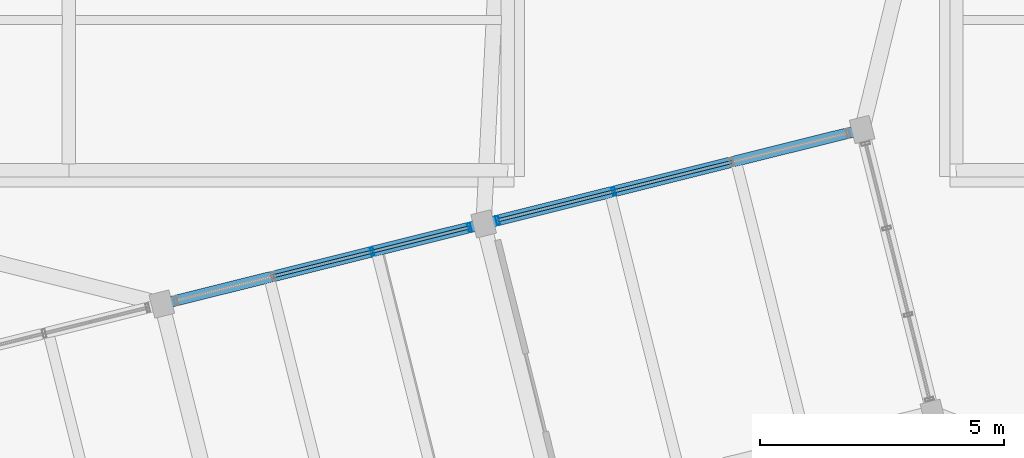
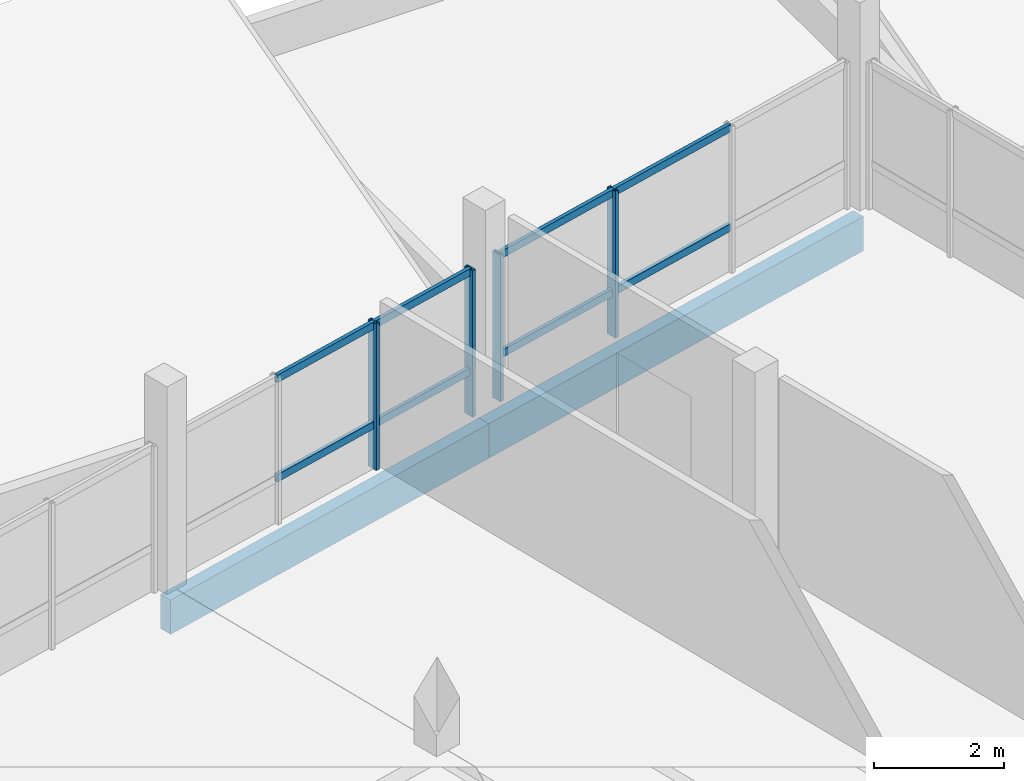
# One storey, part 29 of 37: 12 members, 2 beams, 2 elements without a shape of their own.
"""IFC4 building model written with IfcOpenShell, lengths in metres."""

from ifc_helpers import new_model, si_unit, direction, frame, origin, origin_2d, place, context, subcontext, project, spatial, rectangle, hollow_rectangle, extrude, material, layer, layer_set, material_profile, profile_set, type_object, element, aggregate, save


model = new_model("IFC4")

# Units and contexts
model_context = context("Model", 3, precision=1e-05, world=origin(), true_north=direction((0.0, 1.0)))
body_context = subcontext(model_context, "Body", "Model", "MODEL_VIEW")
ifc_project = project(units=[si_unit("LENGTHUNIT", "METRE"), si_unit("AREAUNIT", "SQUARE_METRE"), si_unit("VOLUMEUNIT", "CUBIC_METRE"), si_unit("PLANEANGLEUNIT", "RADIAN"), si_unit("MASSUNIT", "GRAM", prefix="KILO")], contexts=[model_context])

# Site, building, storey
site_placement = place(None, origin())
site = spatial("IfcSite", under=ifc_project, at=site_placement, CompositionType="ELEMENT")
building_placement = place(site_placement, origin())
building = spatial("IfcBuilding", under=site, at=building_placement, Name="Meriwether Solvik Hall", CompositionType="ELEMENT")
storey_placement = place(building_placement, frame((0.0, 0.0, 26.10009765625)))
storey = spatial("IfcBuildingStorey", under=building, at=storey_placement, Name="L06", CompositionType="ELEMENT", Elevation=26.10009765625)

# Beams
ifc_material_1 = material(Name="Glulam Douglas-Fir 24F-V8 GL28h", Category="wood")
ifc_material_profile_1 = material_profile(ifc_material_1, rectangle(XDim=0.221923828125, YDim=0.64501953125, at=origin_2d()), Name="GLB-222X645")
ifc_profile_set_1 = profile_set([ifc_material_profile_1], Name="Glulam Douglas-Fir 24F-V8 GL28h")
beam_type = type_object("IfcBeamType", Name="BM-GL-222X645", PredefinedType="SPANDREL", material=ifc_profile_set_1)
beam_1_placement = place(storey_placement, frame((88.707275390625, 81.254150390625, -0.592529296875), z_axis=(0.970298579828, 0.24191045034, 0.0), x_axis=(-0.24191045034, 0.970298579828, 0.0)))
element("IfcBeam", 1, at=beam_1_placement, inside=storey, type_object=beam_type, Name="Tower Girder TF:T5-T6 (L06)", PredefinedType="SPANDREL", context=body_context, shape_type="SweptSolid", body=[
    extrude(rectangle(XDim=0.221923828125, YDim=0.64501953125, at=origin_2d()), origin(), (0.0, 0.0, 1.0), 6.800048828125),
])
beam_2_placement = place(storey_placement, frame((95.305419921875, 82.899169921875, -0.592529296875), z_axis=(0.970289525963, 0.24194676234, 0.0), x_axis=(-0.24194676234, 0.970289525963, 0.0)))
element("IfcBeam", 2, at=beam_2_placement, inside=storey, type_object=beam_type, Name="Tower Girder TF:T6-T7 (L06)", PredefinedType="SPANDREL", context=body_context, shape_type="SweptSolid", body=[
    extrude(rectangle(XDim=0.221923828125, YDim=0.64501953125, at=origin_2d()), origin(), (0.0, 0.0, 1.0), 8.0),
])

# Curtain wall, members
ifc_material_2 = material(Name="Thermally Broken Anodised Aluminium 6063-T6 and Low-E Glass", Category="aluminium")
ifc_layer_1 = layer(ifc_material_2, 0.179931640625)
ifc_layer_set_1 = layer_set([ifc_layer_1], Name="Thermally Broken Anodised Aluminium 6063-T6 and Low-E Glass")
curtain_wall_type_1 = type_object("IfcCurtainWallType", Name="CW-UNIT-E", PredefinedType="USERDEFINED", material=ifc_layer_set_1)
curtain_wall_1_placement = place(storey_placement, origin())
curtain_wall_1 = element("IfcCurtainWall", 3, at=curtain_wall_1_placement, inside=storey, type_object=curtain_wall_type_1, Name="Curtain Wall E4_B4 (L06)", ObjectType="UNITISED CURTAIN WALL", PredefinedType="USERDEFINED")
ifc_material_3 = material(Name="Anodised Aluminium 6063-T6", Category="aluminium")
ifc_material_profile_2 = material_profile(ifc_material_3, hollow_rectangle(XDim=0.06494140625, YDim=0.179931640625, WallThickness=0.00439453125, at=origin_2d()), Name="CWM-65X180")
ifc_profile_set_2 = profile_set([ifc_material_profile_2], Name="Anodised Aluminium 6063-T6")
member_type_1 = type_object("IfcMemberType", Name="CW-MUL-65X180", PredefinedType="MULLION", material=ifc_profile_set_2)
member_1_placement = place(storey_placement, frame((93.02197265625, 82.330078125, 0.0), z_axis=(0.0, 0.0, 1.0), x_axis=(0.970295747269, 0.2419218114, 0.0)))
member_1 = element("IfcMember", 4, at=member_1_placement, type_object=member_type_1, Name="Curtain Wall Mullion 3", PredefinedType="MULLION", context=body_context, shape_type="SweptSolid", body=[
    extrude(hollow_rectangle(XDim=0.06494140625, YDim=0.179931640625, WallThickness=0.00439453125, at=origin_2d()), origin(), (0.0, 0.0, 1.0), 2.75),
])
member_2_placement = place(storey_placement, frame((95.0166015625, 82.8271484375, 0.0), z_axis=(0.0, 0.0, 1.0), x_axis=(0.970295747269, 0.2419218114, 0.0)))
member_2 = element("IfcMember", 5, at=member_2_placement, type_object=member_type_1, Name="Curtain Wall Mullion 4", PredefinedType="MULLION", context=body_context, shape_type="SweptSolid", body=[
    extrude(hollow_rectangle(XDim=0.06494140625, YDim=0.179931640625, WallThickness=0.00439453125, at=origin_2d()), origin(), (0.0, 0.0, 1.0), 2.75),
])

ifc_material_4 = material(Name="Thermally Broken Anodised Aluminium 6063-T6 and Low-E Glass", Category="aluminium")
ifc_layer_2 = layer(ifc_material_4, 0.179931640625)
ifc_layer_set_2 = layer_set([ifc_layer_2], Name="Thermally Broken Anodised Aluminium 6063-T6 and Low-E Glass")
curtain_wall_type_2 = type_object("IfcCurtainWallType", Name="CW-UNIT-F", PredefinedType="USERDEFINED", material=ifc_layer_set_2)
curtain_wall_2_placement = place(storey_placement, origin())
curtain_wall_2 = element("IfcCurtainWall", 6, at=curtain_wall_2_placement, inside=storey, type_object=curtain_wall_type_2, Name="Curtain Wall E4_B5 (L06)", ObjectType="UNITISED CURTAIN WALL", PredefinedType="USERDEFINED")
member_3_placement = place(storey_placement, frame((95.593994140625, 82.97119140625, 0.0), z_axis=(0.0, 0.0, 1.0), x_axis=(0.970295753527, 0.241921786302, 0.0)))
member_3 = element("IfcMember", 7, at=member_3_placement, type_object=member_type_1, Name="Curtain Wall Mullion 1", PredefinedType="MULLION", context=body_context, shape_type="SweptSolid", body=[
    extrude(hollow_rectangle(XDim=0.06494140625, YDim=0.179931640625, WallThickness=0.00439453125, at=origin_2d()), origin(), (0.0, 0.0, 1.0), 2.75),
])
member_4_placement = place(storey_placement, frame((97.976806640625, 83.565185546875, 0.0), z_axis=(0.0, 0.0, 1.0), x_axis=(0.970295753527, 0.241921786302, 0.0)))
member_4 = element("IfcMember", 8, at=member_4_placement, type_object=member_type_1, Name="Curtain Wall Mullion 2", PredefinedType="MULLION", context=body_context, shape_type="SweptSolid", body=[
    extrude(hollow_rectangle(XDim=0.06494140625, YDim=0.179931640625, WallThickness=0.00439453125, at=origin_2d()), origin(), (0.0, 0.0, 1.0), 2.75),
])

# Member
ifc_material_5 = material(Name="Anodised Aluminium 6063-T6", Category="aluminium")
ifc_material_profile_3 = material_profile(ifc_material_5, hollow_rectangle(XDim=0.06494140625, YDim=0.139892578125, WallThickness=0.00439453125, at=origin_2d()), Name="CWT-65X140")
ifc_profile_set_3 = profile_set([ifc_material_profile_3], Name="Anodised Aluminium 6063-T6")
member_type_2 = type_object("IfcMemberType", Name="CW-TRN-65X140", PredefinedType="USERDEFINED", material=ifc_profile_set_3)
member_5_placement = place(storey_placement, frame((90.990478515625, 81.823486328125, 0.824951171875), z_axis=(0.970286372918, 0.241959406779, 0.0), x_axis=(-0.241959406779, 0.970286372918, 0.0)))
member_5 = element("IfcMember", 9, at=member_5_placement, type_object=member_type_2, Name="Curtain Wall Transom 2-sill", ObjectType="TRANSOM", PredefinedType="USERDEFINED", context=body_context, shape_type="SweptSolid", body=[
    extrude(hollow_rectangle(XDim=0.06494140625, YDim=0.139892578125, WallThickness=0.00439453125, at=origin_2d()), origin(), (0.0, 0.0, 1.0), 2.09375),
])

member_6_placement = place(storey_placement, frame((90.990478515625, 81.823486328125, 2.68994140625), z_axis=(0.970286372918, 0.241959406779, 0.0), x_axis=(-0.241959406779, 0.970286372918, 0.0)))
member_6 = element("IfcMember", 10, at=member_6_placement, type_object=member_type_2, Name="Curtain Wall Transom 2-head", ObjectType="TRANSOM", PredefinedType="USERDEFINED", context=body_context, shape_type="SweptSolid", body=[
    extrude(hollow_rectangle(XDim=0.06494140625, YDim=0.139892578125, WallThickness=0.00439453125, at=origin_2d()), origin(), (0.0, 0.0, 1.0), 2.09375),
])

member_7_placement = place(storey_placement, frame((93.02197265625, 82.330078125, 0.824951171875), z_axis=(0.970323871243, 0.241808984315, 0.0), x_axis=(-0.241808984315, 0.970323871243, 0.0)))
member_7 = element("IfcMember", 11, at=member_7_placement, type_object=member_type_2, Name="Curtain Wall Transom 3-sill", ObjectType="TRANSOM", PredefinedType="USERDEFINED", context=body_context, shape_type="SweptSolid", body=[
    extrude(hollow_rectangle(XDim=0.06494140625, YDim=0.139892578125, WallThickness=0.00439453125, at=origin_2d()), origin(), (0.0, 0.0, 1.0), 2.0556640625),
])

member_8_placement = place(storey_placement, frame((93.02197265625, 82.330078125, 2.68994140625), z_axis=(0.970323871243, 0.241808984315, 0.0), x_axis=(-0.241808984315, 0.970323871243, 0.0)))
member_8 = element("IfcMember", 12, at=member_8_placement, type_object=member_type_2, Name="Curtain Wall Transom 3-head", ObjectType="TRANSOM", PredefinedType="USERDEFINED", context=body_context, shape_type="SweptSolid", body=[
    extrude(hollow_rectangle(XDim=0.06494140625, YDim=0.139892578125, WallThickness=0.00439453125, at=origin_2d()), origin(), (0.0, 0.0, 1.0), 2.0556640625),
])

aggregate(curtain_wall_1, [member_1, member_2, member_5, member_6, member_7, member_8])

member_9_placement = place(storey_placement, frame((95.593994140625, 82.97119140625, 0.824951171875), z_axis=(0.970306024034, 0.241880589803, 0.0), x_axis=(-0.241880589803, 0.970306024034, 0.0)))
member_9 = element("IfcMember", 13, at=member_9_placement, type_object=member_type_2, Name="Curtain Wall Transom 1-sill", ObjectType="TRANSOM", PredefinedType="USERDEFINED", context=body_context, shape_type="SweptSolid", body=[
    extrude(hollow_rectangle(XDim=0.06494140625, YDim=0.139892578125, WallThickness=0.00439453125, at=origin_2d()), origin(), (0.0, 0.0, 1.0), 2.455810546875),
])

member_10_placement = place(storey_placement, frame((95.593994140625, 82.97119140625, 2.68994140625), z_axis=(0.970306024034, 0.241880589803, 0.0), x_axis=(-0.241880589803, 0.970306024034, 0.0)))
member_10 = element("IfcMember", 14, at=member_10_placement, type_object=member_type_2, Name="Curtain Wall Transom 1-head", ObjectType="TRANSOM", PredefinedType="USERDEFINED", context=body_context, shape_type="SweptSolid", body=[
    extrude(hollow_rectangle(XDim=0.06494140625, YDim=0.139892578125, WallThickness=0.00439453125, at=origin_2d()), origin(), (0.0, 0.0, 1.0), 2.455810546875),
])

member_11_placement = place(storey_placement, frame((97.976806640625, 83.565185546875, 0.824951171875), z_axis=(0.970292060552, 0.24193659754, 0.0), x_axis=(-0.24193659754, 0.970292060552, 0.0)))
member_11 = element("IfcMember", 15, at=member_11_placement, type_object=member_type_2, Name="Curtain Wall Transom 2-sill", ObjectType="TRANSOM", PredefinedType="USERDEFINED", context=body_context, shape_type="SweptSolid", body=[
    extrude(hollow_rectangle(XDim=0.06494140625, YDim=0.139892578125, WallThickness=0.00439453125, at=origin_2d()), origin(), (0.0, 0.0, 1.0), 2.493408203125),
])

member_12_placement = place(storey_placement, frame((97.976806640625, 83.565185546875, 2.68994140625), z_axis=(0.970292060552, 0.24193659754, 0.0), x_axis=(-0.24193659754, 0.970292060552, 0.0)))
member_12 = element("IfcMember", 16, at=member_12_placement, type_object=member_type_2, Name="Curtain Wall Transom 2-head", ObjectType="TRANSOM", PredefinedType="USERDEFINED", context=body_context, shape_type="SweptSolid", body=[
    extrude(hollow_rectangle(XDim=0.06494140625, YDim=0.139892578125, WallThickness=0.00439453125, at=origin_2d()), origin(), (0.0, 0.0, 1.0), 2.493408203125),
])

aggregate(curtain_wall_2, [member_3, member_4, member_9, member_10, member_11, member_12])

save(model, "model.ifc")
